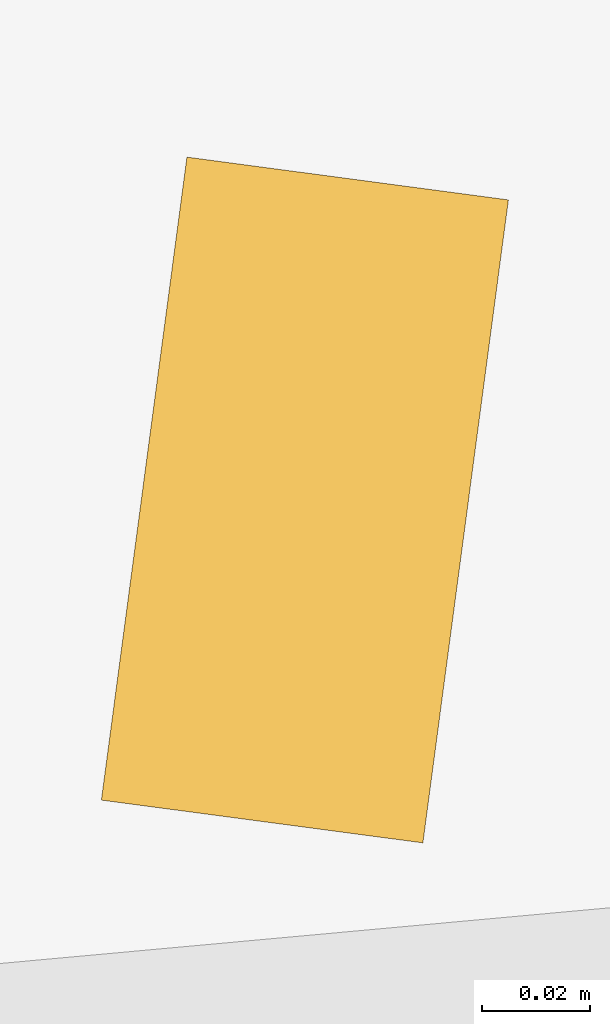
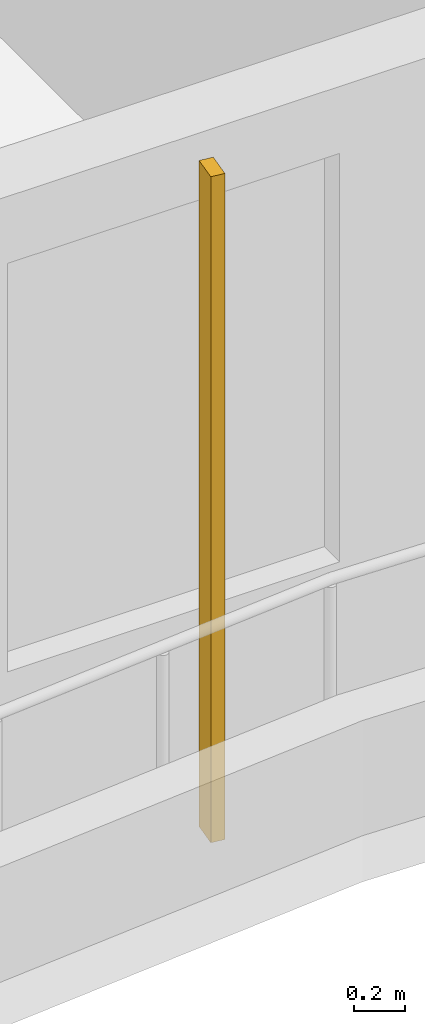
# One storey, part 15 of 21: 1 shading device.
"""IFC4 building model written with IfcOpenShell, lengths in metres."""

from ifc_helpers import new_model, si_unit, direction, frame, origin, origin_2d, place, context, subcontext, project, spatial, rectangle, extrude, source, transform, mapped, material, material_profile, profile_set, type_object, element, save


model = new_model("IFC4")

# Units and contexts
model_context = context("Model", 3, precision=1e-05, world=origin(), true_north=direction((0.0, 1.0)))
body_context = subcontext(model_context, "Body", "Model", "MODEL_VIEW")
ifc_project = project(units=[si_unit("LENGTHUNIT", "METRE"), si_unit("AREAUNIT", "SQUARE_METRE"), si_unit("VOLUMEUNIT", "CUBIC_METRE"), si_unit("PLANEANGLEUNIT", "RADIAN"), si_unit("MASSUNIT", "GRAM", prefix="KILO")], contexts=[model_context])

# Site, building, storey
site_placement = place(None, origin())
site = spatial("IfcSite", under=ifc_project, at=site_placement, CompositionType="ELEMENT")
building_placement = place(site_placement, origin())
building = spatial("IfcBuilding", under=site, at=building_placement, Name="Kilnfold Tower and Market Hall", CompositionType="ELEMENT")
storey_placement = place(building_placement, frame((0.0, 0.0, 182.10009765625)))
storey = spatial("IfcBuildingStorey", under=building, at=storey_placement, Name="L43", CompositionType="ELEMENT", Elevation=182.10009765625)

# Shading device
ifc_material = material(Name="Terracotta", Category="masonry")
ifc_material_profile = material_profile(ifc_material, rectangle(XDim=0.06005859375, YDim=0.1201171875, at=origin_2d()), Name="BAG 60x120")
ifc_profile_set = profile_set([ifc_material_profile], Name="Terracotta")
shading_device_type = type_object("IfcShadingDeviceType", Name="BAGUETTE", PredefinedType="USERDEFINED", material=ifc_profile_set)
shared_shape = source(origin(), body_context, "Body", "SweptSolid", [
    extrude(rectangle(XDim=0.06005859375, YDim=0.1201171875, at=origin_2d()), origin(), (0.0, 0.0, 1.0), 3.179931640625),
])
shading_device_placement = place(storey_placement, frame((4.4873046875, -26.550048828125, 0.0), z_axis=(0.0, 0.0, 1.0), x_axis=(0.991267630934, -0.131865400549, 0.0)))
element("IfcShadingDevice", 1, at=shading_device_placement, inside=storey, type_object=shading_device_type, Name="Terracotta baguette L43 S", ObjectType="BAGUETTE", PredefinedType="USERDEFINED", context=body_context, shape_type="MappedRepresentation", body=[
    mapped(shared_shape, transform((0.0, 0.0, 0.0))),
])

save(model, "model.ifc")
